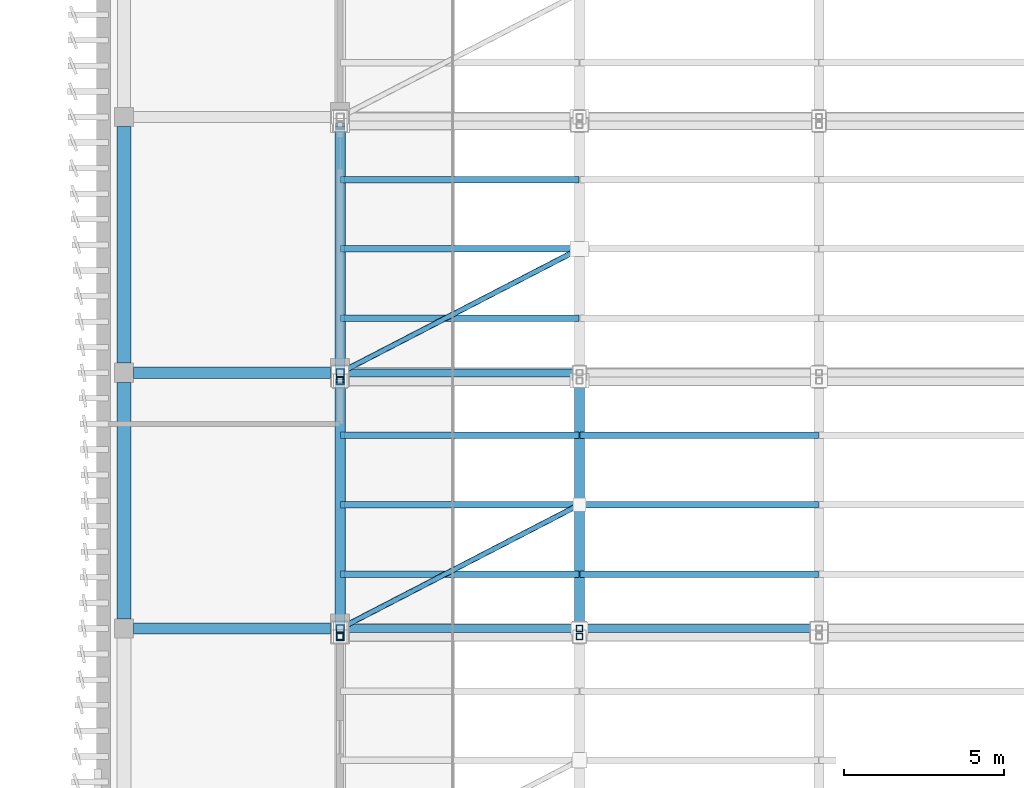
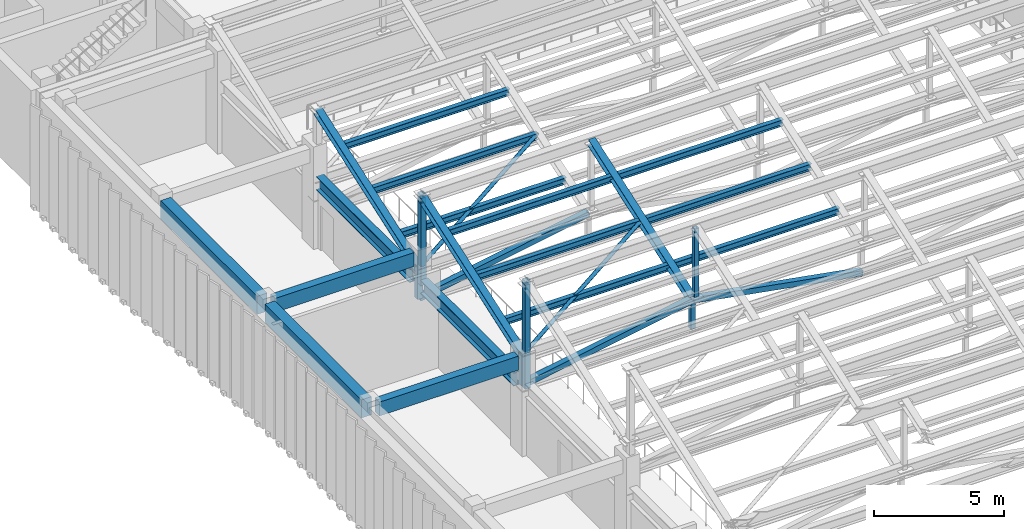
# One storey, part 9 of 76: 25 members, 6 beams.
"""IFC4 building model written with IfcOpenShell, lengths in metres."""

import ifcopenshell
import ifcopenshell.guid

model = None  # the IFC model being written
_history = None  # IfcOwnerHistory: only IFC2X3 demands one
_inside = {}  # id of a spatial element -> (the spatial element, [elements in it])
_under = {}  # id of a project, library or spatial element -> (it, [spatial elements below it])
_declared = {}  # id of a project -> (the project, [libraries it declares])
_typed = {}  # id of a type object -> (the type object, [elements of that type])
_made_of = {}  # id of a material, layer set ... -> (it, [elements and type objects made of it])


def new_model(schema):
    """Start an empty IFC model of exactly this schema.

    Asked for "IFC4X3", IfcOpenShell would pick the latest addendum, in which some entities
    have other attributes; the version numbers below select the first issue.
    IFC2X3 requires an IfcOwnerHistory on every rooted entity: one is made here for all.
    """
    global model, _history
    if schema == "IFC4X3":
        model = ifcopenshell.file(schema_version=(4, 3, 0, 0))
    else:
        model = ifcopenshell.file(schema=schema)
    _inside.clear()
    _under.clear()
    _declared.clear()
    _typed.clear()
    _made_of.clear()
    _history = None
    if model.schema == "IFC2X3":
        org = make("IfcOrganization", Name="unknown")
        user = make(
            "IfcPersonAndOrganization",
            ThePerson=make("IfcPerson", FamilyName="unknown"),
            TheOrganization=org,
        )
        app = make(
            "IfcApplication",
            ApplicationDeveloper=org,
            Version="unknown",
            ApplicationFullName="unknown",
            ApplicationIdentifier="unknown",
        )
        _history = make(
            "IfcOwnerHistory",
            OwningUser=user,
            OwningApplication=app,
            ChangeAction="ADDED",
            CreationDate=0,
        )
    return model


def make(cls, **values):
    """One entity of the class cls with the attributes given. An attribute that is None is left unset."""
    return model.create_entity(
        cls, **{name: value for name, value in values.items() if value is not None}
    )


def rooted(cls, **values):
    """An entity with a GlobalId (a new one), such as an element, a storey or a relation."""
    return make(cls, GlobalId=ifcopenshell.guid.new(), OwnerHistory=_history, **values)


def si_unit(unit_type, name, prefix=None):
    """IfcSIUnit, for example si_unit("LENGTHUNIT", "METRE", prefix="MILLI")."""
    return make("IfcSIUnit", UnitType=unit_type, Prefix=prefix, Name=name)


def assignment(units):
    """IfcUnitAssignment: the units of a project."""
    return None if units is None else make("IfcUnitAssignment", Units=units)


def point(xyz):
    """IfcCartesianPoint."""
    return None if xyz is None else make("IfcCartesianPoint", Coordinates=xyz)


def direction(xyz):
    """IfcDirection."""
    return None if xyz is None else make("IfcDirection", DirectionRatios=xyz)


def frame(location, z_axis=None, x_axis=None):
    """IfcAxis2Placement3D, a coordinate frame: its origin and axes. An axis left out is left unset."""
    return make(
        "IfcAxis2Placement3D",
        Location=point(location),
        Axis=direction(z_axis),
        RefDirection=direction(x_axis),
    )


def frame_2d(location, x_axis=None):
    """IfcAxis2Placement2D, a coordinate frame in the plane: its origin and x axis."""
    return make(
        "IfcAxis2Placement2D", Location=point(location), RefDirection=direction(x_axis)
    )


def origin():
    """The frame at (0, 0, 0) with its axes left unset."""
    return frame((0.0, 0.0, 0.0))


def origin_2d():
    """The frame at (0, 0) in the plane with its x axis left unset."""
    return frame_2d((0.0, 0.0))


def place(relative_to, where):
    """IfcLocalPlacement: puts the frame where relative to a parent placement (None: the world)."""
    return make(
        "IfcLocalPlacement", PlacementRelTo=relative_to, RelativePlacement=where
    )


def context(
    kind, dimensions, precision=None, world=None, true_north=None, identifier=None
):
    """IfcGeometricRepresentationContext, for example the 3D "Model" context."""
    return make(
        "IfcGeometricRepresentationContext",
        ContextIdentifier=identifier,
        ContextType=kind,
        CoordinateSpaceDimension=dimensions,
        Precision=precision,
        WorldCoordinateSystem=world,
        TrueNorth=true_north,
    )


def subcontext(parent, identifier, kind, view, scale=None):
    """IfcGeometricRepresentationSubContext, for example "Body" below "Model"."""
    return make(
        "IfcGeometricRepresentationSubContext",
        ContextIdentifier=identifier,
        ContextType=kind,
        ParentContext=parent,
        TargetScale=scale,
        TargetView=view,
    )


def project(units=None, contexts=None):
    """IfcProject with its units and contexts."""
    return rooted(
        "IfcProject",
        Name="project",
        RepresentationContexts=contexts,
        UnitsInContext=assignment(units),
    )


def spatial(cls, under=None, at=None, **own):
    """A site, building, storey or space (cls), placed at a placement, below another one or the project."""
    s = rooted(cls, ObjectPlacement=at, **own)
    if under is not None:
        _under.setdefault(under.id(), (under, []))[1].append(s)
    return s


def profile(cls, at=None, kind="AREA", **sizes):
    """A parametric profile (cls). Its sizes go by their IFC names, for example OverallWidth=200.0."""
    return make(cls, ProfileType=kind, Position=at, **sizes)


def rectangle(**sizes):
    """IfcRectangleProfileDef."""
    return profile("IfcRectangleProfileDef", **sizes)


def hollow_rectangle(**sizes):
    """IfcRectangleHollowProfileDef."""
    return profile("IfcRectangleHollowProfileDef", **sizes)


def hollow_circle(**sizes):
    """IfcCircleHollowProfileDef."""
    return profile("IfcCircleHollowProfileDef", **sizes)


def i_section(**sizes):
    """IfcIShapeProfileDef."""
    return profile("IfcIShapeProfileDef", **sizes)


def extrude(swept, where, along, depth):
    """IfcExtrudedAreaSolid: the profile swept, set in the frame where, extruded along a direction by depth."""
    return make(
        "IfcExtrudedAreaSolid",
        SweptArea=swept,
        Position=where,
        ExtrudedDirection=direction(along),
        Depth=depth,
    )


def shape(context_of_items, identifier, shape_type, items):
    """IfcShapeRepresentation: the items that make up one representation, for example the "Body"."""
    return make(
        "IfcShapeRepresentation",
        ContextOfItems=context_of_items,
        RepresentationIdentifier=identifier,
        RepresentationType=shape_type,
        Items=items,
    )


def material(Name=None, Category=None):
    """IfcMaterial."""
    return make("IfcMaterial", Name=Name, Category=Category)


def material_profile(
    of_material, cross_section, Name=None, Category=None, Priority=None
):
    """IfcMaterialProfile: a cross section and its material."""
    return make(
        "IfcMaterialProfile",
        Name=Name,
        Material=of_material,
        Profile=cross_section,
        Priority=Priority,
        Category=Category,
    )


def profile_set(profiles, Name=None, composite=None):
    """IfcMaterialProfileSet."""
    return make(
        "IfcMaterialProfileSet",
        Name=Name,
        MaterialProfiles=profiles,
        CompositeProfile=composite,
    )


def made_of(thing, what):
    """Note that an element or type object is made of a material, layer set ...; save() writes the relation."""
    if what is not None:
        _made_of.setdefault(what.id(), (what, []))[1].append(thing)
    return thing


def type_object(cls, material=None, **own):
    """A type object (cls), such as IfcWallType, which elements share."""
    return made_of(rooted(cls, **own), material)


def element(
    cls,
    number,
    at=None,
    inside=None,
    cuts=None,
    type_object=None,
    material=None,
    context=None,
    identifier="Body",
    shape_type=None,
    held_by="IfcProductDefinitionShape",
    body=None,
    shapes=None,
    **own,
):
    """One element of the class cls, such as IfcWall. Its Tag is "e" and its number.

    at: its placement. inside: the storey or other place that contains it. cuts: it is an
    opening in that element (IfcRelVoidsElement). A single representation is given by context,
    identifier, shape_type and body (its items); several are given by shapes. held_by: the class
    of the entity that holds the representations. save() writes the other relations.
    """
    e = rooted(cls, Tag="e%d" % number, ObjectPlacement=at, **own)
    if body is not None:
        shapes = [shape(context, identifier, shape_type, body)]
    if shapes is not None:
        e.Representation = make(held_by, Representations=shapes)
    if inside is not None:
        _inside.setdefault(inside.id(), (inside, []))[1].append(e)
    if cuts is not None:
        rooted(
            "IfcRelVoidsElement", RelatingBuildingElement=cuts, RelatedOpeningElement=e
        )
    if type_object is not None:
        _typed.setdefault(type_object.id(), (type_object, []))[1].append(e)
    return made_of(e, material)


def aggregate(whole, parts):
    """IfcRelAggregates: a whole, such as a stair, and the parts it consists of."""
    return rooted("IfcRelAggregates", RelatingObject=whole, RelatedObjects=parts)


def save(model, path):
    """Write the relations noted so far, then the file.

    IfcRelAggregates (storeys below a building ...), IfcRelContainedInSpatialStructure (elements
    in a storey), IfcRelDefinesByType, IfcRelAssociatesMaterial and IfcRelDeclares: one each for
    every whole, place, type object, material and project.
    """
    for whole, parts in _under.values():
        aggregate(whole, parts)
    for where, things in _inside.values():
        rooted(
            "IfcRelContainedInSpatialStructure",
            RelatedElements=things,
            RelatingStructure=where,
        )
    for kind, things in _typed.values():
        rooted("IfcRelDefinesByType", RelatedObjects=things, RelatingType=kind)
    for what, things in _made_of.values():
        rooted("IfcRelAssociatesMaterial", RelatedObjects=things, RelatingMaterial=what)
    for by, libraries in _declared.values():
        rooted("IfcRelDeclares", RelatingContext=by, RelatedDefinitions=libraries)
    model.write(path)


model = new_model("IFC4")

# Units and contexts
model_context = context("Model", 3, precision=1e-05, world=origin(), true_north=direction((0.0, 1.0)))
body_context = subcontext(model_context, "Body", "Model", "MODEL_VIEW")
ifc_project = project(units=[si_unit("LENGTHUNIT", "METRE"), si_unit("AREAUNIT", "SQUARE_METRE"), si_unit("VOLUMEUNIT", "CUBIC_METRE"), si_unit("PLANEANGLEUNIT", "RADIAN"), si_unit("MASSUNIT", "GRAM", prefix="KILO")], contexts=[model_context])

# Site, building, storey
site_placement = place(None, origin())
site = spatial("IfcSite", under=ifc_project, at=site_placement, CompositionType="ELEMENT")
building_placement = place(site_placement, origin())
building = spatial("IfcBuilding", under=site, at=building_placement, Name="Cinchona Park Media Centre", CompositionType="ELEMENT")
storey_placement = place(building_placement, frame((0.0, 0.0, 15.60009765625)))
storey = spatial("IfcBuildingStorey", under=building, at=storey_placement, Name="L03", CompositionType="ELEMENT", Elevation=15.60009765625)

# Beams
ifc_material_1 = material(Name="Concrete C35/45", Category="concrete")
ifc_material_profile_1 = material_profile(ifc_material_1, rectangle(XDim=0.449951171875, YDim=0.85009765625, at=origin_2d()), Name="RB 450X850")
ifc_profile_set_1 = profile_set([ifc_material_profile_1], Name="Concrete C35/45")
beam_type_1 = type_object("IfcBeamType", Name="BEAM-B02-RB450X850", PredefinedType="BEAM", material=ifc_profile_set_1)
for number, where, z_axis, x_axis, name in (
    (1, (8.639892578125, 39.89990234375, 4.1298828125), (0.0, 1.0, 0.0), (-1.0, 0.0, 0.0), "Girder B02 L03"),
    (2, (8.639892578125, 47.89990234375, 4.1298828125), (0.0, 1.0, 0.0), (-1.0, 0.0, 0.0), "Girder B02 L03"),
):
    element("IfcBeam", number, at=place(storey_placement, frame(where, z_axis=z_axis, x_axis=x_axis)), inside=storey, type_object=beam_type_1, Name=name, PredefinedType="BEAM", context=body_context, shape_type="SweptSolid", body=[
        extrude(rectangle(XDim=0.449951171875, YDim=0.85009765625, at=origin_2d()), origin(), (0.0, 0.0, 1.0), 7.400146484375),
    ])
ifc_material_2 = material(Name="Concrete C35/45", Category="concrete")
ifc_material_profile_2 = material_profile(ifc_material_2, rectangle(XDim=0.35009765625, YDim=0.64990234375, at=origin_2d()), Name="RB 350X650")
ifc_profile_set_2 = profile_set([ifc_material_profile_2], Name="Concrete C35/45")
beam_type_2 = type_object("IfcBeamType", Name="BEAM-B04-RB350X650", PredefinedType="BEAM", material=ifc_profile_set_2)
for number, where, z_axis, x_axis, name in (
    (3, (8.93994140625, 39.60009765625, 4.22998046875), (1.0, 0.0, 0.0), (0.0, 1.0, 0.0), "Beam B04 L03"),
    (4, (8.93994140625, 47.60009765625, 4.22998046875), (1.0, 0.0, 0.0), (0.0, 1.0, 0.0), "Beam B04 L03"),
):
    element("IfcBeam", number, at=place(storey_placement, frame(where, z_axis=z_axis, x_axis=x_axis)), inside=storey, type_object=beam_type_2, Name=name, PredefinedType="BEAM", context=body_context, shape_type="SweptSolid", body=[
        extrude(rectangle(XDim=0.35009765625, YDim=0.64990234375, at=origin_2d()), origin(), (0.0, 0.0, 1.0), 6.16015625),
    ])
ifc_material_3 = material(Name="Steel S355", Category="steel")
ifc_material_profile_3 = material_profile(ifc_material_3, i_section(OverallWidth=0.3291015625, OverallDepth=0.635009765625, WebThickness=0.017822265625, FlangeThickness=0.031005859375, at=origin_2d()), Name="W610X241")
ifc_profile_set_3 = profile_set([ifc_material_profile_3], Name="Steel S355")
beam_type_3 = type_object("IfcBeamType", Name="BEAM-B05-W610X241", PredefinedType="BEAM", material=ifc_profile_set_3)
for number, where, z_axis, x_axis, name in (
    (5, (15.39990234375, 40.02001953125, 3.0498046875), (0.0, 1.0, 0.0), (-1.0, 0.0, 0.0), "Sawtooth Valley Edge Girder B05 V1"),
    (6, (15.39990234375, 48.02001953125, 3.0498046875), (0.0, 1.0, 0.0), (-1.0, 0.0, 0.0), "Sawtooth Valley Edge Girder B05 V1"),
):
    element("IfcBeam", number, at=place(storey_placement, frame(where, z_axis=z_axis, x_axis=x_axis)), inside=storey, type_object=beam_type_3, Name=name, PredefinedType="BEAM", context=body_context, shape_type="SweptSolid", body=[
        extrude(i_section(OverallWidth=0.3291015625, OverallDepth=0.635009765625, WebThickness=0.017822265625, FlangeThickness=0.031005859375, at=origin_2d()), origin(), (0.0, 0.0, 1.0), 7.159912109375),
    ])

# Members
ifc_material_4 = material(Name="Steel S355", Category="steel")
ifc_material_profile_4 = material_profile(ifc_material_4, hollow_circle(Radius=0.084228515625, WallThickness=0.010009765625, at=origin_2d()), Name="168.3X10CHS")
ifc_profile_set_4 = profile_set([ifc_material_profile_4], Name="Steel S355")
member_type_1 = type_object("IfcMemberType", Name="MEMBER-BR03-CHS168.3X10", PredefinedType="BRACE", material=ifc_profile_set_4)
for number, where, z_axis, x_axis, name in (
    (7, (15.39990234375, 39.60009765625, 4.39990234375), (0.877007498883, 0.453726100012, 0.158083753343), (-0.459504038406, 0.888175680082, 0.0), "Sawtooth Roof Wind Brace V1 Bay 5"),
    (8, (15.39990234375, 47.60009765625, 3.599853515625), (0.877007498883, 0.453726100012, 0.158083753343), (-0.459504038406, 0.888175680082, 0.0), "Sawtooth Roof Wind Brace V1 Bay 6"),
):
    element("IfcMember", number, at=place(storey_placement, frame(where, z_axis=z_axis, x_axis=x_axis)), inside=storey, type_object=member_type_1, Name=name, PredefinedType="BRACE", context=body_context, shape_type="SweptSolid", body=[
        extrude(hollow_circle(Radius=0.084228515625, WallThickness=0.010009765625, at=origin_2d()), origin(), (0.0, 0.0, 1.0), 8.540283203125),
    ])
ifc_material_5 = material(Name="Steel S355", Category="steel")
ifc_material_profile_5 = material_profile(ifc_material_5, i_section(OverallWidth=0.202880859375, OverallDepth=0.302978515625, WebThickness=0.007568359375, FlangeThickness=0.01318359375, at=origin_2d()), Name="W310X60")
ifc_profile_set_5 = profile_set([ifc_material_profile_5], Name="Steel S355")
member_type_2 = type_object("IfcMemberType", Name="MEMBER-PR01-W310X60", PredefinedType="PURLIN", material=ifc_profile_set_5)
member_1_placement = place(storey_placement, frame((15.409912109375, 41.304931640625, 4.912353515625), z_axis=(1.0, 0.0, 0.0), x_axis=(0.0, 1.0, 0.0)))
element("IfcMember", 9, at=member_1_placement, inside=storey, type_object=member_type_2, Name="Sawtooth Roof Purlin PR01", PredefinedType="PURLIN", context=body_context, shape_type="SweptSolid", body=[
    extrude(i_section(OverallWidth=0.202880859375, OverallDepth=0.302978515625, WebThickness=0.007568359375, FlangeThickness=0.01318359375, at=origin_2d()), origin(), (0.0, 0.0, 1.0), 7.469970703125),
])
member_2_placement = place(storey_placement, frame((22.89990234375, 41.304931640625, 4.912353515625), z_axis=(1.0, 0.0, 0.0), x_axis=(0.0, 1.0, 0.0)))
element("IfcMember", 10, at=member_2_placement, inside=storey, type_object=member_type_2, Name="Sawtooth Roof Purlin PR01", PredefinedType="PURLIN", context=body_context, shape_type="SweptSolid", body=[
    extrude(i_section(OverallWidth=0.202880859375, OverallDepth=0.302978515625, WebThickness=0.007568359375, FlangeThickness=0.01318359375, at=origin_2d()), origin(), (0.0, 0.0, 1.0), 7.47021484375),
])
member_3_placement = place(storey_placement, frame((15.409912109375, 43.47509765625, 5.66845703125), z_axis=(1.0, 0.0, 0.0), x_axis=(0.0, 1.0, 0.0)))
element("IfcMember", 11, at=member_3_placement, inside=storey, type_object=member_type_2, Name="Sawtooth Roof Purlin PR01", PredefinedType="PURLIN", context=body_context, shape_type="SweptSolid", body=[
    extrude(i_section(OverallWidth=0.202880859375, OverallDepth=0.302978515625, WebThickness=0.007568359375, FlangeThickness=0.01318359375, at=origin_2d()), origin(), (0.0, 0.0, 1.0), 7.469970703125),
])
member_4_placement = place(storey_placement, frame((22.89990234375, 43.47509765625, 5.66845703125), z_axis=(1.0, 0.0, 0.0), x_axis=(0.0, 1.0, 0.0)))
element("IfcMember", 12, at=member_4_placement, inside=storey, type_object=member_type_2, Name="Sawtooth Roof Purlin PR01", PredefinedType="PURLIN", context=body_context, shape_type="SweptSolid", body=[
    extrude(i_section(OverallWidth=0.202880859375, OverallDepth=0.302978515625, WebThickness=0.007568359375, FlangeThickness=0.01318359375, at=origin_2d()), origin(), (0.0, 0.0, 1.0), 7.47021484375),
])
member_5_placement = place(storey_placement, frame((15.409912109375, 45.64501953125, 6.42431640625), z_axis=(1.0, 0.0, 0.0), x_axis=(0.0, 1.0, 0.0)))
element("IfcMember", 13, at=member_5_placement, inside=storey, type_object=member_type_2, Name="Sawtooth Roof Purlin PR01", PredefinedType="PURLIN", context=body_context, shape_type="SweptSolid", body=[
    extrude(i_section(OverallWidth=0.202880859375, OverallDepth=0.302978515625, WebThickness=0.007568359375, FlangeThickness=0.01318359375, at=origin_2d()), origin(), (0.0, 0.0, 1.0), 7.469970703125),
])
member_6_placement = place(storey_placement, frame((22.89990234375, 45.64501953125, 6.42431640625), z_axis=(1.0, 0.0, 0.0), x_axis=(0.0, 1.0, 0.0)))
element("IfcMember", 14, at=member_6_placement, inside=storey, type_object=member_type_2, Name="Sawtooth Roof Purlin PR01", PredefinedType="PURLIN", context=body_context, shape_type="SweptSolid", body=[
    extrude(i_section(OverallWidth=0.202880859375, OverallDepth=0.302978515625, WebThickness=0.007568359375, FlangeThickness=0.01318359375, at=origin_2d()), origin(), (0.0, 0.0, 1.0), 7.47021484375),
])
for number, where, z_axis, x_axis, name in (
    (15, (15.409912109375, 49.304931640625, 4.1123046875), (1.0, 0.0, 0.0), (0.0, 1.0, 0.0), "Sawtooth Roof Purlin PR01"),
    (16, (15.409912109375, 51.47509765625, 4.868408203125), (1.0, 0.0, 0.0), (0.0, 1.0, 0.0), "Sawtooth Roof Purlin PR01"),
    (17, (15.409912109375, 53.64501953125, 5.62451171875), (1.0, 0.0, 0.0), (0.0, 1.0, 0.0), "Sawtooth Roof Purlin PR01"),
):
    element("IfcMember", number, at=place(storey_placement, frame(where, z_axis=z_axis, x_axis=x_axis)), inside=storey, type_object=member_type_2, Name=name, PredefinedType="PURLIN", context=body_context, shape_type="SweptSolid", body=[
        extrude(i_section(OverallWidth=0.202880859375, OverallDepth=0.302978515625, WebThickness=0.007568359375, FlangeThickness=0.01318359375, at=origin_2d()), origin(), (0.0, 0.0, 1.0), 7.469970703125),
    ])
ifc_material_6 = material(Name="Steel S355", Category="steel")
ifc_material_profile_6 = material_profile(ifc_material_6, hollow_rectangle(XDim=0.199951171875, YDim=0.199951171875, WallThickness=0.012451171875, at=origin_2d()), Name="200X200X12.5SHS")
ifc_profile_set_6 = profile_set([ifc_material_profile_6], Name="Steel S355")
member_type_3 = type_object("IfcMemberType", Name="MEMBER-TS01-SHS200X200X12.5", PredefinedType="STRUT", material=ifc_profile_set_6)
for number, where, z_axis, x_axis, name in (
    (18, (15.39990234375, 39.35009765625, 4.699951171875), (0.0, 0.0, 1.0), (1.0, 0.0, 0.0), "ROOF TRUSS Monitor Post V1 Bay 4"),
    (19, (22.889892578125, 39.35009765625, 4.699951171875), (0.0, 0.0, 1.0), (1.0, 0.0, 0.0), "ROOF TRUSS Monitor Post V1 Bay 4"),
):
    element("IfcMember", number, at=place(storey_placement, frame(where, z_axis=z_axis, x_axis=x_axis)), inside=storey, type_object=member_type_3, Name=name, PredefinedType="STRUT", context=body_context, shape_type="SweptSolid", body=[
        extrude(hollow_rectangle(XDim=0.199951171875, YDim=0.199951171875, WallThickness=0.012451171875, at=origin_2d()), origin(), (0.0, 0.0, 1.0), 3.199951171875),
    ])
member_7_placement = place(storey_placement, frame((22.889892578125, 39.60009765625, 3.0498046875), z_axis=(0.0, 0.0, 1.0), x_axis=(1.0, 0.0, 0.0)))
element("IfcMember", 20, at=member_7_placement, inside=storey, type_object=member_type_3, Name="ROOF TRUSS Vertical Strut TN1", PredefinedType="STRUT", context=body_context, shape_type="SweptSolid", body=[
    extrude(hollow_rectangle(XDim=0.199951171875, YDim=0.199951171875, WallThickness=0.012451171875, at=origin_2d()), origin(), (0.0, 0.0, 1.0), 1.35009765625),
])
member_8_placement = place(storey_placement, frame((15.39990234375, 47.35009765625, 3.89990234375), z_axis=(0.0, 0.0, 1.0), x_axis=(1.0, 0.0, 0.0)))
element("IfcMember", 21, at=member_8_placement, inside=storey, type_object=member_type_3, Name="ROOF TRUSS Monitor Post V1 Bay 5", PredefinedType="STRUT", context=body_context, shape_type="SweptSolid", body=[
    extrude(hollow_rectangle(XDim=0.199951171875, YDim=0.199951171875, WallThickness=0.012451171875, at=origin_2d()), origin(), (0.0, 0.0, 1.0), 3.199951171875),
])
ifc_material_7 = material(Name="Steel S355", Category="steel")
ifc_material_profile_7 = material_profile(ifc_material_7, hollow_rectangle(XDim=0.25, YDim=0.25, WallThickness=0.01611328125, at=origin_2d()), Name="250X250X16SHS")
ifc_profile_set_7 = profile_set([ifc_material_profile_7], Name="Steel S355")
member_type_4 = type_object("IfcMemberType", Name="MEMBER-TS02-SHS250X250X16", PredefinedType="STRUT", material=ifc_profile_set_7)
member_9_placement = place(storey_placement, frame((15.39990234375, 39.35009765625, 3.0498046875), z_axis=(0.0, 0.0, 1.0), x_axis=(1.0, 0.0, 0.0)))
element("IfcMember", 22, at=member_9_placement, inside=storey, type_object=member_type_4, Name="Sawtooth Bearing Post TS02 V1 B4", PredefinedType="STRUT", context=body_context, shape_type="SweptSolid", body=[
    extrude(hollow_rectangle(XDim=0.25, YDim=0.25, WallThickness=0.01611328125, at=origin_2d()), origin(), (0.0, 0.0, 1.0), 5.0400390625),
])
member_10_placement = place(storey_placement, frame((15.39990234375, 39.60009765625, 3.0498046875), z_axis=(0.0, 0.0, 1.0), x_axis=(1.0, 0.0, 0.0)))
element("IfcMember", 23, at=member_10_placement, inside=storey, type_object=member_type_4, Name="Sawtooth Bearing Post TS02 V1 B5", PredefinedType="STRUT", context=body_context, shape_type="SweptSolid", body=[
    extrude(hollow_rectangle(XDim=0.25, YDim=0.25, WallThickness=0.01611328125, at=origin_2d()), origin(), (0.0, 0.0, 1.0), 1.5400390625),
])
member_11_placement = place(storey_placement, frame((15.39990234375, 47.35009765625, 3.0498046875), z_axis=(0.0, 0.0, 1.0), x_axis=(1.0, 0.0, 0.0)))
element("IfcMember", 24, at=member_11_placement, inside=storey, type_object=member_type_4, Name="Sawtooth Bearing Post TS02 V1 B5", PredefinedType="STRUT", context=body_context, shape_type="SweptSolid", body=[
    extrude(hollow_rectangle(XDim=0.25, YDim=0.25, WallThickness=0.01611328125, at=origin_2d()), origin(), (0.0, 0.0, 1.0), 4.239990234375),
])
for number, where, z_axis, x_axis, name in (
    (25, (15.39990234375, 39.60009765625, 3.0498046875), (0.984139781218, 0.0, 0.177394732232), (0.0, 1.0, 0.0), "ROOF TRUSS Web Diagonal TN1"),
    (26, (22.889892578125, 39.60009765625, 4.39990234375), (0.984139781218, 0.0, -0.177394732232), (0.0, 1.0, 0.0), "ROOF TRUSS Web Diagonal TN2"),
):
    element("IfcMember", number, at=place(storey_placement, frame(where, z_axis=z_axis, x_axis=x_axis)), inside=storey, type_object=member_type_4, Name=name, PredefinedType="STRUT", context=body_context, shape_type="SweptSolid", body=[
        extrude(hollow_rectangle(XDim=0.25, YDim=0.25, WallThickness=0.01611328125, at=origin_2d()), origin(), (0.0, 0.0, 1.0), 7.610595703125),
    ])
member_12_placement = place(storey_placement, frame((15.39990234375, 47.60009765625, 2.25), z_axis=(0.0, 0.0, 1.0), x_axis=(1.0, 0.0, 0.0)))
element("IfcMember", 27, at=member_12_placement, inside=storey, type_object=member_type_4, Name="Sawtooth Bearing Post TS02 V1 B6", PredefinedType="STRUT", context=body_context, shape_type="SweptSolid", body=[
    extrude(hollow_rectangle(XDim=0.25, YDim=0.25, WallThickness=0.01611328125, at=origin_2d()), origin(), (0.0, 0.0, 1.0), 1.539794921875),
])
member_13_placement = place(storey_placement, frame((15.39990234375, 47.60009765625, 2.25), z_axis=(0.984145381083, 0.0, 0.177363662832), x_axis=(0.0, 1.0, 0.0)))
element("IfcMember", 28, at=member_13_placement, inside=storey, type_object=member_type_4, Name="ROOF TRUSS Web Diagonal TN1", PredefinedType="STRUT", context=body_context, shape_type="SweptSolid", body=[
    extrude(hollow_rectangle(XDim=0.25, YDim=0.25, WallThickness=0.01611328125, at=origin_2d()), origin(), (0.0, 0.0, 1.0), 7.610595703125),
])
ifc_material_8 = material(Name="Steel S355", Category="steel")
ifc_material_profile_8 = material_profile(ifc_material_8, i_section(OverallWidth=0.304931640625, OverallDepth=0.30810546875, WebThickness=0.010009765625, FlangeThickness=0.015380859375, at=origin_2d()), Name="W310X97")
ifc_profile_set_8 = profile_set([ifc_material_profile_8], Name="Steel S355")
member_type_5 = type_object("IfcMemberType", Name="MEMBER-TS06-W310X97", PredefinedType="STRUT", material=ifc_profile_set_8)
for number, where, z_axis, x_axis, name in (
    (29, (15.39990234375, 39.60009765625, 4.39990234375), (0.0, 0.944334143314, 0.328987880888), (-1.0, 0.0, 0.0), "ROOF TRUSS Sawtooth Rafter V1 Bay 5"),
    (30, (22.889892578125, 39.60009765625, 4.39990234375), (0.0, 0.944334143314, 0.328987880888), (-1.0, 0.0, 0.0), "ROOF TRUSS Sawtooth Rafter V1 Bay 5"),
    (31, (15.39990234375, 47.60009765625, 3.599853515625), (0.0, 0.944334143314, 0.328987880888), (-1.0, 0.0, 0.0), "ROOF TRUSS Sawtooth Rafter V1 Bay 6"),
):
    element("IfcMember", number, at=place(storey_placement, frame(where, z_axis=z_axis, x_axis=x_axis)), inside=storey, type_object=member_type_5, Name=name, PredefinedType="STRUT", context=body_context, shape_type="SweptSolid", body=[
        extrude(i_section(OverallWidth=0.304931640625, OverallDepth=0.30810546875, WebThickness=0.010009765625, FlangeThickness=0.015380859375, at=origin_2d()), origin(), (0.0, 0.0, 1.0), 8.206787109375),
    ])

save(model, "model.ifc")
